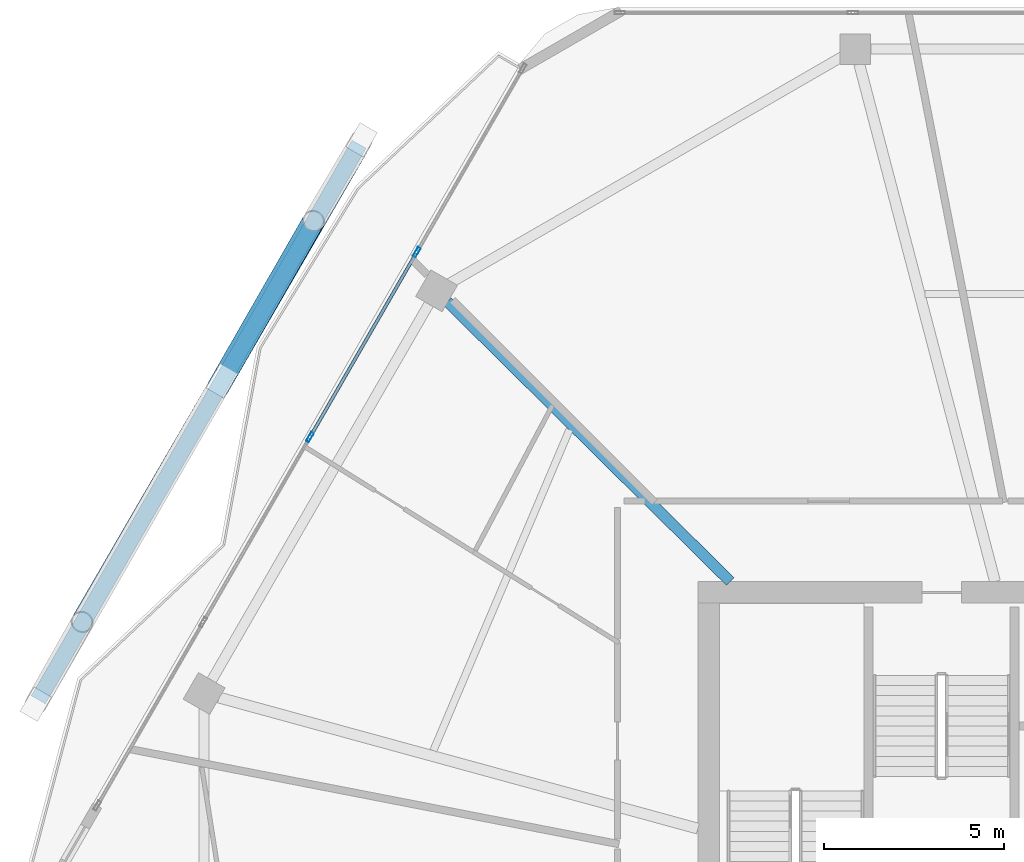
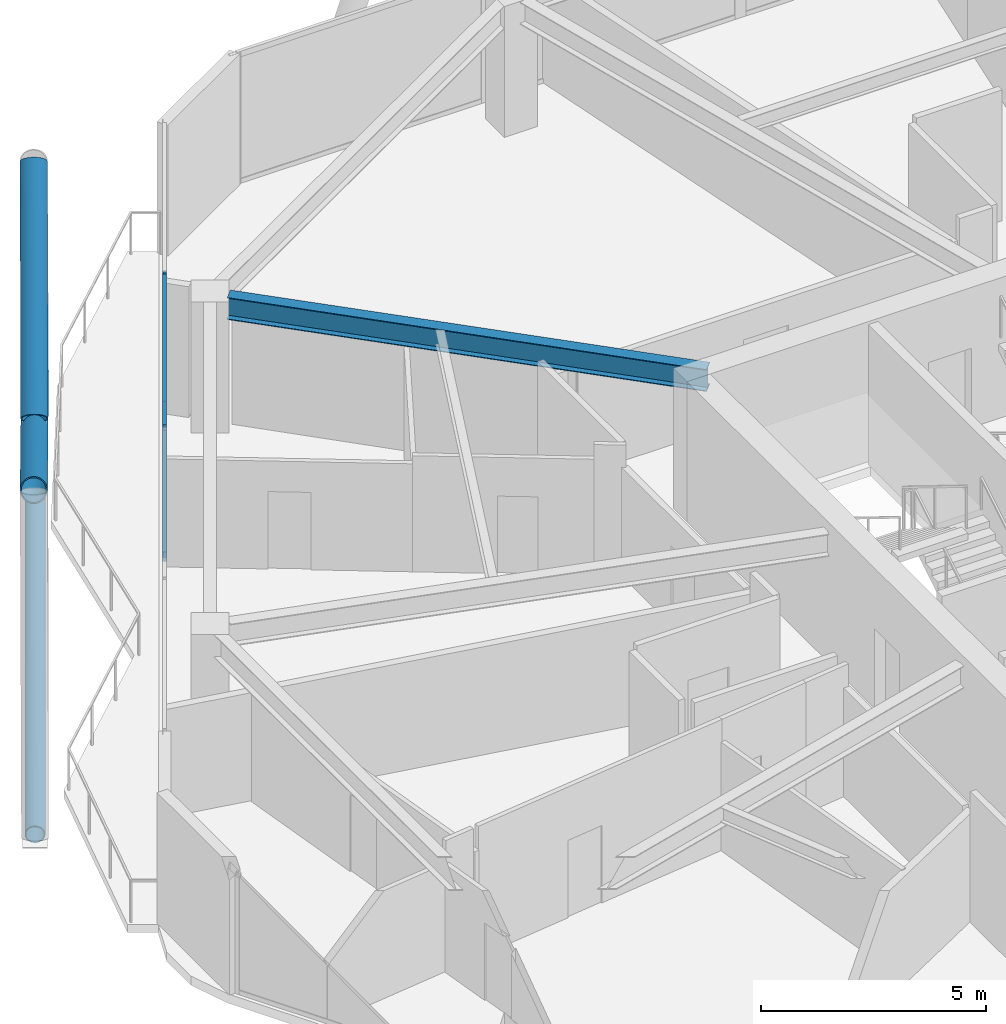
# One storey, part 13 of 29: 7 members, 1 beam, 1 element without a shape of its own.
"""IFC4 building model written with IfcOpenShell, lengths in metres."""

from ifc_helpers import new_model, si_unit, direction, frame, origin, origin_2d, place, context, subcontext, project, spatial, hollow_rectangle, hollow_circle, i_section, extrude, material, material_profile, profile_set, type_object, element, aggregate, save


model = new_model("IFC4")

# Units and contexts
model_context = context("Model", 3, precision=1e-05, world=origin(), true_north=direction((0.0, 1.0)))
body_context = subcontext(model_context, "Body", "Model", "MODEL_VIEW")
ifc_project = project(units=[si_unit("LENGTHUNIT", "METRE"), si_unit("AREAUNIT", "SQUARE_METRE"), si_unit("VOLUMEUNIT", "CUBIC_METRE"), si_unit("PLANEANGLEUNIT", "RADIAN"), si_unit("MASSUNIT", "GRAM", prefix="KILO")], contexts=[model_context])

# Site, building, storey
site_placement = place(None, origin())
site = spatial("IfcSite", under=ifc_project, at=site_placement, CompositionType="ELEMENT")
building_placement = place(site_placement, origin())
building = spatial("IfcBuilding", under=site, at=building_placement, Name="Zuhravey Tower", CompositionType="ELEMENT")
storey_placement = place(building_placement, frame((0.0, 0.0, 292.0)))
storey = spatial("IfcBuildingStorey", under=building, at=storey_placement, Name="L74", CompositionType="ELEMENT", Elevation=292.0)

# Curtain wall, members
ifc_material_1 = material(Name="Thermally broken anodised aluminium", Category="aluminium")
curtain_wall_type = type_object("IfcCurtainWallType", Name="Zone 3-4 High-Rise Curtain Wall CW4", PredefinedType="NOTDEFINED", material=ifc_material_1)
curtain_wall_placement = place(storey_placement, origin())
curtain_wall = element("IfcCurtainWall", 1, at=curtain_wall_placement, inside=storey, type_object=curtain_wall_type, Name="L74 CW4 CW-L74-F3-1", PredefinedType="NOTDEFINED")
ifc_material_2 = material(Name="Anodised aluminium", Category="aluminium")
ifc_material_profile_1 = material_profile(ifc_material_2, hollow_rectangle(XDim=0.090087890625, YDim=0.284912109375, WallThickness=0.0048828125, at=origin_2d()), Name="ALU-RHS-90x285x5")
ifc_profile_set_1 = profile_set([ifc_material_profile_1], Name="Anodised aluminium")
member_type_1 = type_object("IfcMemberType", Name="Curtain-Wall Mullion 90x180", PredefinedType="MULLION", material=ifc_profile_set_1)
member_1_placement = place(storey_placement, frame((14.449951171875, 45.801513671875, 0.0), z_axis=(0.0, 0.0, 1.0), x_axis=(-0.866024971571, 0.500000748615, 0.0)))
member_1 = element("IfcMember", 2, at=member_1_placement, type_object=member_type_1, Name="CW4 mullion 3", PredefinedType="MULLION", context=body_context, shape_type="SweptSolid", body=[
    extrude(hollow_rectangle(XDim=0.090087890625, YDim=0.284912109375, WallThickness=0.0048828125, at=origin_2d()), origin(), (0.0, 0.0, 1.0), 3.550048828125),
])
member_2_placement = place(storey_placement, frame((17.40869140625, 50.92626953125, 0.0), z_axis=(0.0, 0.0, 1.0), x_axis=(-0.866024971571, 0.500000748615, 0.0)))
member_2 = element("IfcMember", 3, at=member_2_placement, type_object=member_type_1, Name="CW4 mullion 4", PredefinedType="MULLION", context=body_context, shape_type="SweptSolid", body=[
    extrude(hollow_rectangle(XDim=0.090087890625, YDim=0.284912109375, WallThickness=0.0048828125, at=origin_2d()), origin(), (0.0, 0.0, 1.0), 3.550048828125),
])
ifc_material_profile_2 = material_profile(ifc_material_2, hollow_rectangle(XDim=0.090087890625, YDim=0.14990234375, WallThickness=0.0048828125, at=origin_2d()), Name="ALU-RHS-90x150x5")
ifc_profile_set_2 = profile_set([ifc_material_profile_2], Name="Anodised aluminium")
member_type_2 = type_object("IfcMemberType", Name="Curtain-Wall Transom 90x150", PredefinedType="USERDEFINED", material=ifc_profile_set_2)
member_3_placement = place(storey_placement, frame((14.472412109375, 45.84033203125, 0.044921875), z_axis=(0.500000478697, 0.866025127409, 0.0), x_axis=(-0.866025127409, 0.500000478697, 0.0)))
member_3 = element("IfcMember", 4, at=member_3_placement, type_object=member_type_2, Name="CW4 transom 3.1", ObjectType="TRANSOM", PredefinedType="USERDEFINED", context=body_context, shape_type="SweptSolid", body=[
    extrude(hollow_rectangle(XDim=0.090087890625, YDim=0.14990234375, WallThickness=0.0048828125, at=origin_2d()), origin(), (0.0, 0.0, 1.0), 5.82763671875),
])
member_4_placement = place(storey_placement, frame((14.472412109375, 45.84033203125, 3.5048828125), z_axis=(0.500000478697, 0.866025127409, 0.0), x_axis=(-0.866025127409, 0.500000478697, 0.0)))
member_4 = element("IfcMember", 5, at=member_4_placement, type_object=member_type_2, Name="CW4 transom 3.2", ObjectType="TRANSOM", PredefinedType="USERDEFINED", context=body_context, shape_type="SweptSolid", body=[
    extrude(hollow_rectangle(XDim=0.090087890625, YDim=0.14990234375, WallThickness=0.0048828125, at=origin_2d()), origin(), (0.0, 0.0, 1.0), 5.82763671875),
])
aggregate(curtain_wall, [member_1, member_2, member_3, member_4])

# Members
ifc_material_3 = material(Name="Steel SM355", Category="steel")
ifc_material_profile_3 = material_profile(ifc_material_3, hollow_circle(Radius=0.228515625, WallThickness=0.02197265625, at=origin_2d()), Name="CHS-457.2x22")
ifc_profile_set_3 = profile_set([ifc_material_profile_3], Name="Steel SM355")
member_type_3 = type_object("IfcMemberType", Name="Exoskeleton Ring Tie CHS457x22", PredefinedType="CHORD", material=ifc_profile_set_3)
member_5_placement = place(storey_placement, frame((15.8115234375, 53.919921875, -0.464111328125), z_axis=(-0.499995467921, -0.866028020366, 0.0), x_axis=(0.866028020366, -0.499995467921, 0.0)))
element("IfcMember", 6, at=member_5_placement, inside=storey, type_object=member_type_3, Name="L74 Exoskeleton Face 3 Tie EXR1", PredefinedType="CHORD", context=body_context, shape_type="SweptSolid", body=[
    extrude(hollow_circle(Radius=0.228515625, WallThickness=0.02197265625, at=origin_2d()), origin(), (0.0, 0.0, 1.0), 17.778076171875),
])
ifc_material_profile_4 = material_profile(ifc_material_3, hollow_circle(Radius=0.3046875, WallThickness=0.028076171875, at=origin_2d()), Name="CHS-609.6x28")
ifc_profile_set_4 = profile_set([ifc_material_profile_4], Name="Steel SM355")
member_type_4 = type_object("IfcMemberType", Name="Exoskeleton Zone 3 Diagrid CHS610x28", PredefinedType="BRACE", material=ifc_profile_set_4)
member_6_placement = place(storey_placement, frame((15.86328125, 54.009521484375, -0.446044921875), z_axis=(-0.450085318429, -0.77609421854, 0.441702354627), x_axis=(0.865055050852, -0.501676946845, 0.0)))
element("IfcMember", 7, at=member_6_placement, inside=storey, type_object=member_type_4, Name="L74 Face 3 Diagrid Brace 2", PredefinedType="BRACE", context=body_context, shape_type="SweptSolid", body=[
    extrude(hollow_circle(Radius=0.3046875, WallThickness=0.028076171875, at=origin_2d()), origin(), (0.0, 0.0, 1.0), 17.12451171875),
])
member_7_placement = place(storey_placement, frame((12.127197265625, 47.569580078125, 3.51220703125), z_axis=(0.398817653613, 0.69546793027, 0.597719697795), x_axis=(-0.86748591047, 0.497461752436, 0.0)))
element("IfcMember", 8, at=member_7_placement, inside=storey, type_object=member_type_4, Name="L74 Face 3 Split Diagrid Brace 3B", PredefinedType="BRACE", context=body_context, shape_type="SweptSolid", body=[
    extrude(hollow_circle(Radius=0.3046875, WallThickness=0.028076171875, at=origin_2d()), origin(), (0.0, 0.0, 1.0), 6.021728515625),
])

# Beam
ifc_material_profile_5 = material_profile(ifc_material_3, i_section(OverallWidth=0.300048828125, OverallDepth=0.60009765625, WebThickness=0.011962890625, FlangeThickness=0.02001953125, at=origin_2d()), Name="H-600x300x12x20")
ifc_profile_set_5 = profile_set([ifc_material_profile_5], Name="Steel SM355")
beam_type = type_object("IfcBeamType", Name="Radial Primary Girder H600x300", PredefinedType="BEAM", material=ifc_profile_set_5)
beam_placement = place(storey_placement, frame((26.09326171875, 41.802978515625, 3.25), z_axis=(-0.710808169267, 0.70338591577, 0.0), x_axis=(-0.70338591577, -0.710808169267, 0.0)))
element("IfcBeam", 9, at=beam_placement, inside=storey, type_object=beam_type, Name="L74 RG3 BM-L74-RAD-05", PredefinedType="BEAM", context=body_context, shape_type="SweptSolid", body=[
    extrude(i_section(OverallWidth=0.300048828125, OverallDepth=0.60009765625, WebThickness=0.011962890625, FlangeThickness=0.02001953125, at=origin_2d()), origin(), (0.0, 0.0, 1.0), 11.019287109375),
])

save(model, "model.ifc")
